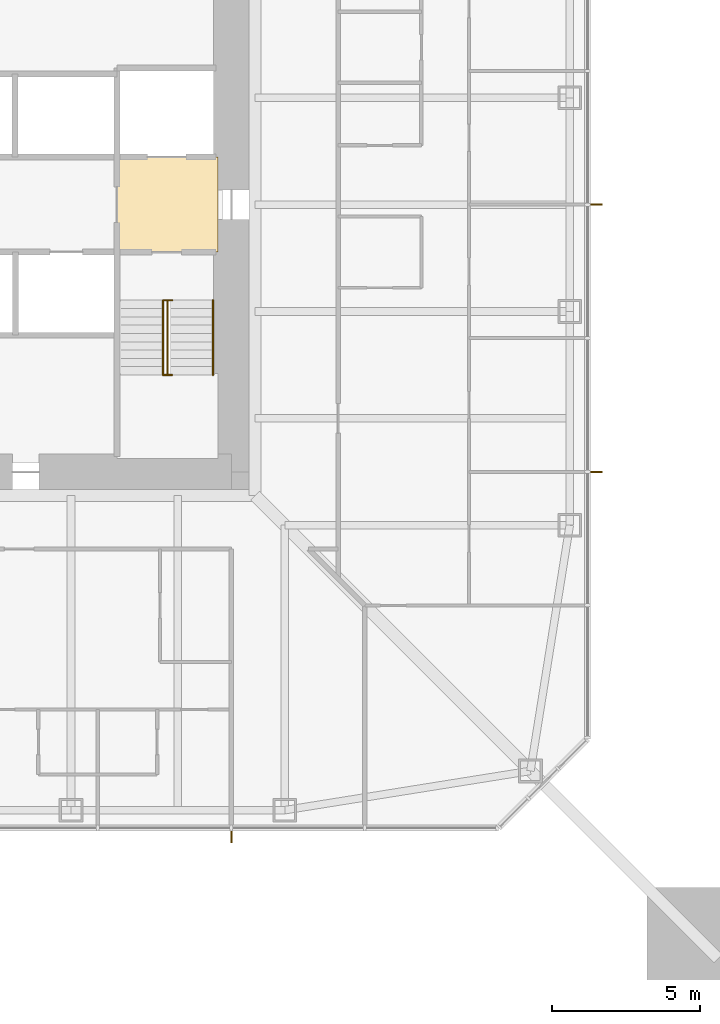
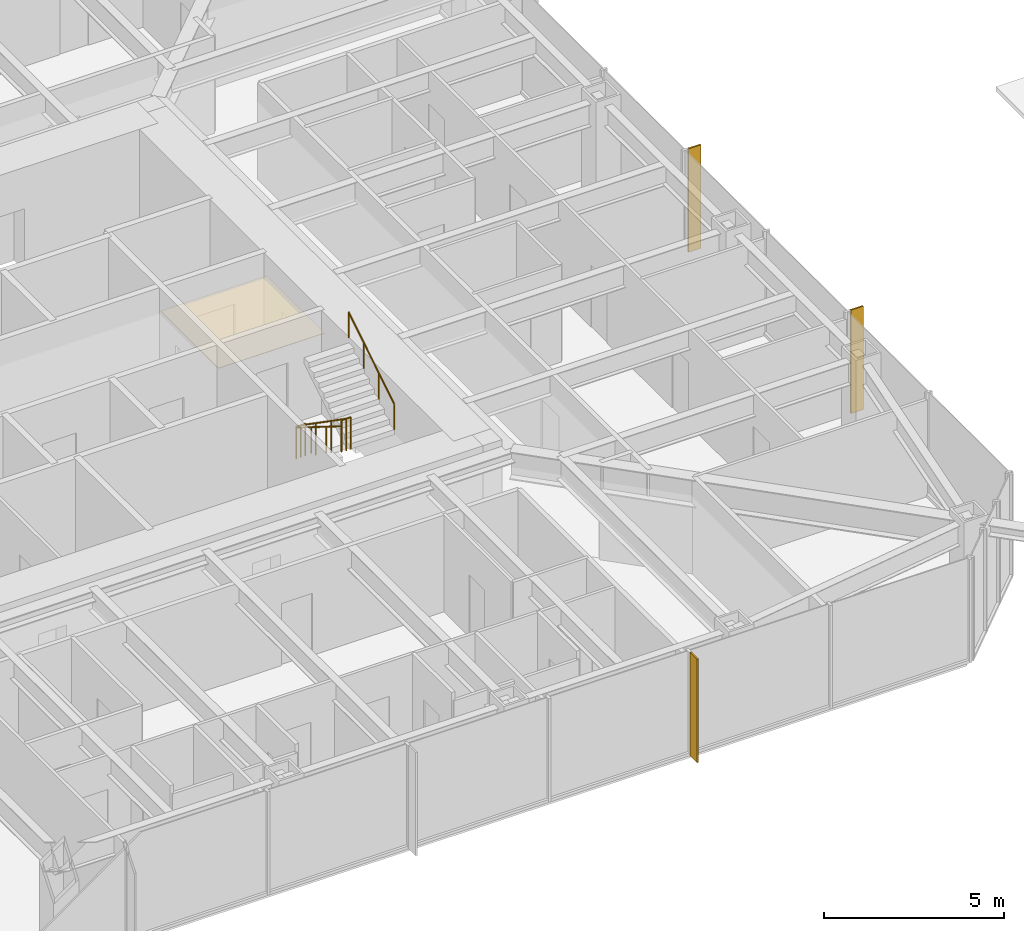
# One storey, part 23 of 25: 3 railings, 3 shading devices, 1 covering.
"""IFC4 building model written with IfcOpenShell, lengths in metres."""

from ifc_helpers import new_model, si_unit, direction, frame, origin, origin_2d, place, context, subcontext, project, spatial, polyline, rectangle, circle, outline, extrude, material, layer, layer_set, constituent, constituent_set, type_object, element, save


model = new_model("IFC4")

# Units and contexts
model_context = context("Model", 3, precision=1e-05, world=origin(), true_north=direction((0.0, 1.0)))
body_context = subcontext(model_context, "Body", "Model", "MODEL_VIEW")
ifc_project = project(units=[si_unit("LENGTHUNIT", "METRE"), si_unit("AREAUNIT", "SQUARE_METRE"), si_unit("VOLUMEUNIT", "CUBIC_METRE"), si_unit("PLANEANGLEUNIT", "RADIAN"), si_unit("MASSUNIT", "GRAM", prefix="KILO")], contexts=[model_context])

# Site, building, storey
site_placement = place(None, origin())
site = spatial("IfcSite", under=ifc_project, at=site_placement, CompositionType="ELEMENT")
building_placement = place(site_placement, origin())
building = spatial("IfcBuilding", under=site, at=building_placement, Name="Iwan Alto Co-Living Towers", CompositionType="ELEMENT")
storey_placement = place(building_placement, frame((0.0, 0.0, 101.5)))
storey = spatial("IfcBuildingStorey", under=building, at=storey_placement, Name="L27", CompositionType="ELEMENT", Elevation=101.5)

# Covering
ifc_material_1 = material(Name="Mineral fibre acoustic tiles on steel grid", Category="steel")
ifc_layer_1 = layer(ifc_material_1, 0.02001953125)
ifc_layer_set_1 = layer_set([ifc_layer_1], Name="ACOUSTIC TILE CEILING 20")
covering_type = type_object("IfcCoveringType", Name="ACOUSTIC TILE CEILING 20", PredefinedType="CEILING", material=ifc_layer_set_1)
covering_placement = place(storey_placement, frame((0.0, 0.0, 2.60009765625)))
element("IfcCovering", 1, at=covering_placement, inside=storey, type_object=covering_type, Name="Ceiling Firefighting lobby L27", PredefinedType="CEILING", context=body_context, shape_type="SweptSolid", body=[
    extrude(outline(polyline([(5.14990234375, -1.60009765625), (5.14990234375, 1.60009765625), (8.550048828125, 1.60009765625), (8.550048828125, -1.60009765625), (5.14990234375, -1.60009765625)])), origin(), (0.0, 0.0, 1.0), 0.02001953125),
])

# Shading devices
ifc_material_2 = material(Name="Aluminium 6063-T6 bronze anodised", Category="aluminium")
ifc_layer_2 = layer(ifc_material_2, 0.050048828125)
ifc_layer_set_2 = layer_set([ifc_layer_2], Name="BRONZE FIN 50X400")
shading_device_type = type_object("IfcShadingDeviceType", Name="BRONZE FIN 50X400", PredefinedType="USERDEFINED", material=ifc_layer_set_2)
for number, where, z_axis, x_axis, name in (
    (2, (9.0, -21.300048828125, 0.0), (0.0, 0.0, 1.0), (1.0, 0.0, 0.0), "Bronze fin L27"),
    (3, (21.300048828125, -9.0, 0.0), (0.0, 0.0, 1.0), (0.0, 1.0, 0.0), "Bronze fin L27"),
    (4, (21.300048828125, 0.0, 0.0), (0.0, 0.0, 1.0), (0.0, 1.0, 0.0), "Bronze fin L27"),
):
    element("IfcShadingDevice", number, at=place(storey_placement, frame(where, z_axis=z_axis, x_axis=x_axis)), inside=storey, type_object=shading_device_type, Name=name, ObjectType="LOUVER", PredefinedType="USERDEFINED", context=body_context, shape_type="SweptSolid", body=[
        extrude(rectangle(XDim=0.050048828125, YDim=0.39990234375, at=origin_2d()), origin(), (0.0, 0.0, 1.0), 3.5),
    ])

# Railings
ifc_material_3 = material(Name="Steel ASTM A500 Gr C", Category="steel")
ifc_constituent_1 = constituent(ifc_material_3, Name="Rails and posts", Category="Framing")
ifc_material_4 = material(Name="Steel ASTM A36", Category="steel")
ifc_constituent_2 = constituent(ifc_material_4, Name="Bar infill", Category="Infill")
ifc_constituent_set = constituent_set(constituents=[ifc_constituent_1, ifc_constituent_2], Name="STAIR GUARD 1100")
railing_type_1 = type_object("IfcRailingType", Name="STAIR GUARD 1100", PredefinedType="GUARDRAIL", material=ifc_constituent_set)
railing_1_placement = place(storey_placement, frame((6.85009765625, -3.219970703125, 0.0)))
element("IfcRailing", 5, at=railing_1_placement, inside=storey, type_object=railing_type_1, Name="Stair T1-S2 well guard L27", PredefinedType="GUARDRAIL", context=body_context, shape_type="SweptSolid", body=[
    extrude(circle(Radius=0.02392578125, at=origin_2d()), frame((0.0, 0.0, 1.076171875), z_axis=(0.0, -0.821372036852, 0.570392826987), x_axis=(1.0, 0.0, 0.0)), (0.0, 0.0, 1.0), 3.068115234375),
    extrude(circle(Radius=0.02392578125, at=origin_2d()), frame((-0.150146484375, 0.0, 1.076171875), z_axis=(1.0, 0.0, 0.0), x_axis=(0.0, 1.0, 0.0)), (0.0, 0.0, 1.0), 0.300048828125),
    extrude(circle(Radius=0.02392578125, at=origin_2d()), frame((-0.150146484375, -2.52001953125, 2.826171875), z_axis=(1.0, 0.0, 0.0), x_axis=(0.0, 1.0, 0.0)), (0.0, 0.0, 1.0), 0.300048828125),
    extrude(circle(Radius=0.02099609375, at=origin_2d()), origin(), (0.0, 0.0, 1.0), 1.052001953125),
    extrude(circle(Radius=0.02099609375, at=origin_2d()), frame((0.0, -0.840087890625, 0.583251953125)), (0.0, 0.0, 1.0), 1.052001953125),
    extrude(circle(Radius=0.02099609375, at=origin_2d()), frame((0.0, -1.679931640625, 1.166748046875)), (0.0, 0.0, 1.0), 1.052001953125),
    extrude(circle(Radius=0.02099609375, at=origin_2d()), frame((0.0, -2.52001953125, 1.75)), (0.0, 0.0, 1.0), 1.052001953125),
    extrude(circle(Radius=0.02099609375, at=origin_2d()), frame((-0.150146484375, 0.0, 0.0)), (0.0, 0.0, 1.0), 1.052001953125),
    extrude(circle(Radius=0.02099609375, at=origin_2d()), frame((0.14990234375, 0.0, 0.0)), (0.0, 0.0, 1.0), 1.052001953125),
    extrude(circle(Radius=0.02099609375, at=origin_2d()), frame((-0.150146484375, -2.52001953125, 1.75)), (0.0, 0.0, 1.0), 1.052001953125),
    extrude(circle(Radius=0.02099609375, at=origin_2d()), frame((0.14990234375, -2.52001953125, 1.75)), (0.0, 0.0, 1.0), 1.052001953125),
])
ifc_material_5 = material(Name="Steel ASTM A500 Gr C", Category="steel")
railing_type_2 = type_object("IfcRailingType", Name="STAIR HANDRAIL 900", PredefinedType="HANDRAIL", material=ifc_material_5)
railing_2_placement = place(storey_placement, frame((6.699951171875, -3.219970703125, 0.175048828125)))
element("IfcRailing", 6, at=railing_2_placement, inside=storey, type_object=railing_type_2, Name="Stair T1-S2 handrail 1 L27", PredefinedType="HANDRAIL", context=body_context, shape_type="SweptSolid", body=[
    extrude(circle(Radius=0.02392578125, at=origin_2d()), frame((0.0, 0.0, 0.8759765625), z_axis=(0.0, -0.848007534815, 0.529984170421), x_axis=(1.0, 0.0, 0.0)), (0.0, 0.0, 1.0), 2.9716796875),
    extrude(circle(Radius=0.02099609375, at=origin_2d()), origin(), (0.0, 0.0, 1.0), 0.851806640625),
    extrude(circle(Radius=0.02099609375, at=origin_2d()), frame((0.0, -0.840087890625, 0.52490234375)), (0.0, 0.0, 1.0), 0.851806640625),
    extrude(circle(Radius=0.02099609375, at=origin_2d()), frame((0.0, -1.679931640625, 1.050048828125)), (0.0, 0.0, 1.0), 0.851806640625),
    extrude(circle(Radius=0.02099609375, at=origin_2d()), frame((0.0, -2.52001953125, 1.574951171875)), (0.0, 0.0, 1.0), 0.851806640625),
])
railing_3_placement = place(storey_placement, frame((8.3798828125, -5.739990234375, 1.925048828125)))
element("IfcRailing", 7, at=railing_3_placement, inside=storey, type_object=railing_type_2, Name="Stair T1-S2 handrail 2 L27", PredefinedType="HANDRAIL", context=body_context, shape_type="SweptSolid", body=[
    extrude(circle(Radius=0.02392578125, at=origin_2d()), frame((0.0, 0.0, 0.8759765625), z_axis=(0.0, 0.848007534815, 0.529984170421), x_axis=(-1.0, 0.0, 0.0)), (0.0, 0.0, 1.0), 2.9716796875),
    extrude(circle(Radius=0.02099609375, at=origin_2d()), origin(), (0.0, 0.0, 1.0), 0.851806640625),
    extrude(circle(Radius=0.02099609375, at=origin_2d()), frame((0.0, 0.840087890625, 0.52490234375)), (0.0, 0.0, 1.0), 0.851806640625),
    extrude(circle(Radius=0.02099609375, at=origin_2d()), frame((0.0, 1.679931640625, 1.050048828125)), (0.0, 0.0, 1.0), 0.851806640625),
    extrude(circle(Radius=0.02099609375, at=origin_2d()), frame((0.0, 2.52001953125, 1.574951171875)), (0.0, 0.0, 1.0), 0.851806640625),
])

save(model, "model.ifc")
